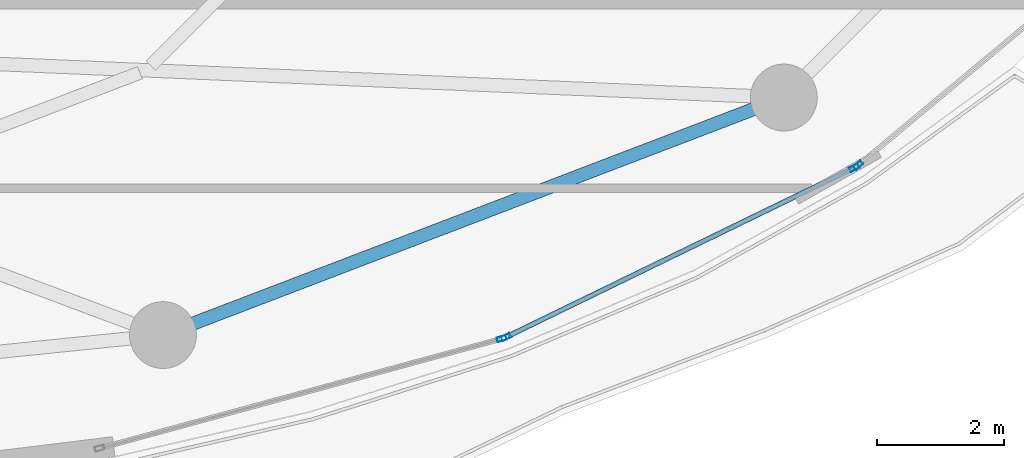
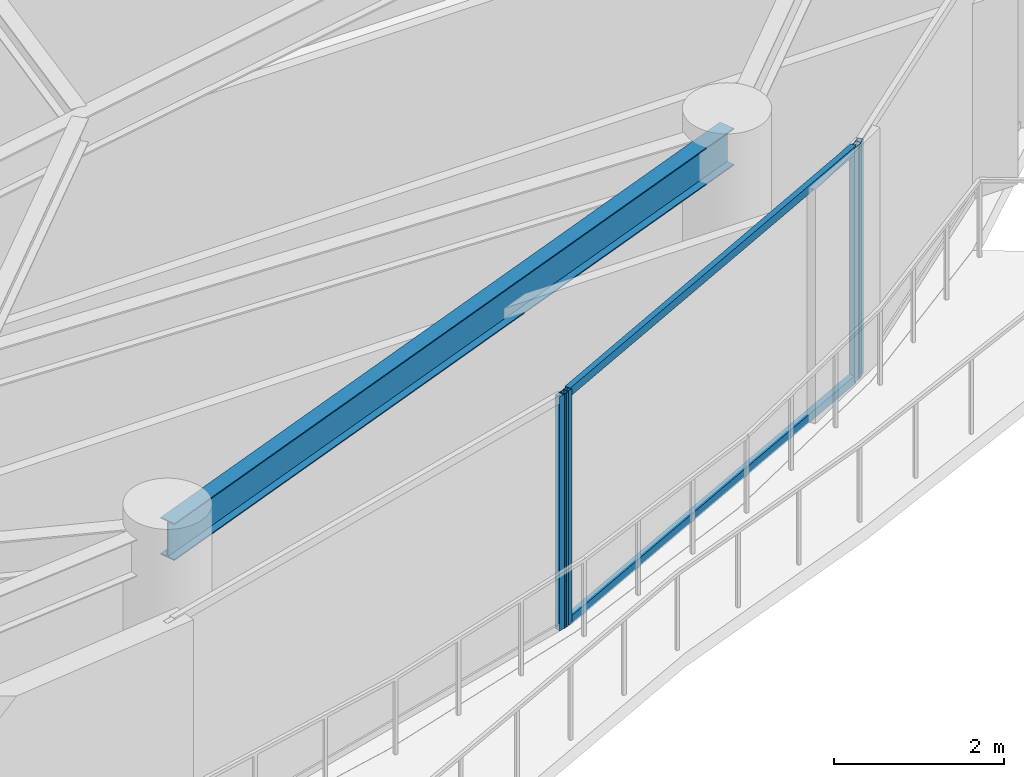
# One storey, part 13 of 31: 6 members, 1 beam, 3 elements without a shape of their own.
"""IFC4 building model written with IfcOpenShell, lengths in metres."""

from ifc_helpers import new_model, si_unit, direction, frame, origin, origin_2d, place, context, subcontext, project, spatial, hollow_rectangle, i_section, extrude, material, layer, layer_set, material_profile, profile_set, type_object, element, aggregate, save


model = new_model("IFC4")

# Units and contexts
model_context = context("Model", 3, precision=1e-05, world=origin(), true_north=direction((0.0, 1.0)))
body_context = subcontext(model_context, "Body", "Model", "MODEL_VIEW")
ifc_project = project(units=[si_unit("LENGTHUNIT", "METRE"), si_unit("AREAUNIT", "SQUARE_METRE"), si_unit("VOLUMEUNIT", "CUBIC_METRE"), si_unit("PLANEANGLEUNIT", "RADIAN"), si_unit("MASSUNIT", "GRAM", prefix="KILO")], contexts=[model_context])

# Site, building, storey
site_placement = place(None, origin())
site = spatial("IfcSite", under=ifc_project, at=site_placement, CompositionType="ELEMENT")
building_placement = place(site_placement, origin())
building = spatial("IfcBuilding", under=site, at=building_placement, Name="Kazevale Care Tower and Concert Hall", CompositionType="ELEMENT")
storey_placement = place(building_placement, frame((0.0, 0.0, 235.199951171875)))
storey = spatial("IfcBuildingStorey", under=building, at=storey_placement, Name="L62", CompositionType="ELEMENT", Elevation=235.199951171875)

# Curtain wall, member
ifc_material_1 = material(Name="Aluminium 6063-T6 and Low-E Glass", Category="aluminium")
ifc_layer = layer(ifc_material_1, 0.179931640625)
ifc_layer_set = layer_set([ifc_layer], Name="Aluminium 6063-T6 and Low-E Glass")
curtain_wall_type = type_object("IfcCurtainWallType", Name="Sheltered Concave Balcony Curtain Wall CW-5", PredefinedType="NOTDEFINED", material=ifc_layer_set)
curtain_wall_1_placement = place(storey_placement, origin())
curtain_wall_1 = element("IfcCurtainWall", 1, at=curtain_wall_1_placement, inside=storey, type_object=curtain_wall_type, Name="cw:L62:f02", PredefinedType="NOTDEFINED")
ifc_material_2 = material(Name="Aluminium 6063-T6", Category="aluminium")
ifc_material_profile_1 = material_profile(ifc_material_2, hollow_rectangle(XDim=0.074951171875, YDim=0.14990234375, WallThickness=0.00390625, at=origin_2d()), Name="ALU75x150x4")
ifc_profile_set_1 = profile_set([ifc_material_profile_1], Name="Aluminium 6063-T6")
member_type_1 = type_object("IfcMemberType", Name="CW-5 Mullion ALU75x150x4", PredefinedType="MULLION", material=ifc_profile_set_1)
member_1_placement = place(storey_placement, frame((67.417724609375, 21.5869140625, 0.0), z_axis=(0.0, 0.0, 1.0), x_axis=(0.639961217204, -0.768407210062, 0.0)))
member_1 = element("IfcMember", 2, at=member_1_placement, type_object=member_type_1, Name="CW-5 mullion 2", PredefinedType="MULLION", context=body_context, shape_type="SweptSolid", body=[
    extrude(hollow_rectangle(XDim=0.074951171875, YDim=0.14990234375, WallThickness=0.00390625, at=origin_2d()), origin(), (0.0, 0.0, 1.0), 3.360107421875),
])
aggregate(curtain_wall_1, [member_1])

# Curtain wall, members
curtain_wall_2_placement = place(storey_placement, origin())
curtain_wall_2 = element("IfcCurtainWall", 3, at=curtain_wall_2_placement, inside=storey, type_object=curtain_wall_type, Name="cw:L62:f03", PredefinedType="NOTDEFINED")
member_2_placement = place(storey_placement, frame((67.355224609375, 21.546630859375, 0.0), z_axis=(0.0, 0.0, 1.0), x_axis=(0.437238357087, -0.89934566163, 0.0)))
member_2 = element("IfcMember", 4, at=member_2_placement, type_object=member_type_1, Name="CW-5 mullion 1", PredefinedType="MULLION", context=body_context, shape_type="SweptSolid", body=[
    extrude(hollow_rectangle(XDim=0.074951171875, YDim=0.14990234375, WallThickness=0.00390625, at=origin_2d()), origin(), (0.0, 0.0, 1.0), 3.360107421875),
])
member_3_placement = place(storey_placement, frame((61.8896484375, 18.889404296875, 0.0), z_axis=(0.0, 0.0, 1.0), x_axis=(0.437238357087, -0.89934566163, 0.0)))
member_3 = element("IfcMember", 5, at=member_3_placement, type_object=member_type_1, Name="CW-5 mullion 2", PredefinedType="MULLION", context=body_context, shape_type="SweptSolid", body=[
    extrude(hollow_rectangle(XDim=0.074951171875, YDim=0.14990234375, WallThickness=0.00390625, at=origin_2d()), origin(), (0.0, 0.0, 1.0), 3.360107421875),
])

# Curtain wall, member
curtain_wall_3_placement = place(storey_placement, origin())
curtain_wall_3 = element("IfcCurtainWall", 6, at=curtain_wall_3_placement, inside=storey, type_object=curtain_wall_type, Name="cw:L62:f04", PredefinedType="NOTDEFINED")
member_4_placement = place(storey_placement, frame((61.81982421875, 18.863037109375, 0.0), z_axis=(0.0, 0.0, 1.0), x_axis=(0.262848968947, -0.964836991167, 0.0)))
member_4 = element("IfcMember", 7, at=member_4_placement, type_object=member_type_1, Name="CW-5 mullion 1", PredefinedType="MULLION", context=body_context, shape_type="SweptSolid", body=[
    extrude(hollow_rectangle(XDim=0.074951171875, YDim=0.14990234375, WallThickness=0.00390625, at=origin_2d()), origin(), (0.0, 0.0, 1.0), 3.360107421875),
])
aggregate(curtain_wall_3, [member_4])

# Member
ifc_material_profile_2 = material_profile(ifc_material_2, hollow_rectangle(XDim=0.074951171875, YDim=0.1201171875, WallThickness=0.00390625, at=origin_2d()), Name="ALU75x120x4")
ifc_profile_set_2 = profile_set([ifc_material_profile_2], Name="Aluminium 6063-T6")
member_type_2 = type_object("IfcMemberType", Name="CW-5 Transom ALU75x120x4", PredefinedType="USERDEFINED", material=ifc_profile_set_2)
member_5_placement = place(storey_placement, frame((67.321533203125, 21.5302734375, 0.03759765625), z_axis=(-0.899342308406, -0.437245254189, 0.0), x_axis=(0.437245254189, -0.899342308406, 0.0)))
member_5 = element("IfcMember", 8, at=member_5_placement, type_object=member_type_2, Name="CW-5 transom 1.1", ObjectType="TRANSOM", PredefinedType="USERDEFINED", context=body_context, shape_type="SweptSolid", body=[
    extrude(hollow_rectangle(XDim=0.074951171875, YDim=0.1201171875, WallThickness=0.00390625, at=origin_2d()), origin(), (0.0, 0.0, 1.0), 6.00244140625),
])

member_6_placement = place(storey_placement, frame((67.321533203125, 21.5302734375, 3.322509765625), z_axis=(-0.899342308406, -0.437245254189, 0.0), x_axis=(0.437245254189, -0.899342308406, 0.0)))
member_6 = element("IfcMember", 9, at=member_6_placement, type_object=member_type_2, Name="CW-5 transom 1.2", ObjectType="TRANSOM", PredefinedType="USERDEFINED", context=body_context, shape_type="SweptSolid", body=[
    extrude(hollow_rectangle(XDim=0.074951171875, YDim=0.1201171875, WallThickness=0.00390625, at=origin_2d()), origin(), (0.0, 0.0, 1.0), 6.00244140625),
])

aggregate(curtain_wall_2, [member_2, member_3, member_5, member_6])

# Beam
ifc_material_3 = material(Name="Steel ASTM A572 Gr 50", Category="steel")
ifc_material_profile_3 = material_profile(ifc_material_3, i_section(OverallWidth=0.208984375, OverallDepth=0.532958984375, WebThickness=0.01025390625, FlangeThickness=0.015625, at=origin_2d()), Name="W530x92")
ifc_profile_set_3 = profile_set([ifc_material_profile_3], Name="Steel ASTM A572 Gr 50")
beam_type = type_object("IfcBeamType", Name="Upper Ring Beam W530x92", PredefinedType="BEAM", material=ifc_profile_set_3)
beam_placement = place(storey_placement, frame((56.5, 18.919921875, 3.093505859375), z_axis=(0.933986653173, 0.357307894811, 0.0), x_axis=(-0.357307894811, 0.933986653173, 0.0)))
element("IfcBeam", 10, at=beam_placement, inside=storey, type_object=beam_type, Name="beam:L62:ring:14", PredefinedType="BEAM", context=body_context, shape_type="SweptSolid", body=[
    extrude(i_section(OverallWidth=0.208984375, OverallDepth=0.532958984375, WebThickness=0.01025390625, FlangeThickness=0.015625, at=origin_2d()), origin(), (0.0, 0.0, 1.0), 10.439208984375),
])

save(model, "model.ifc")
